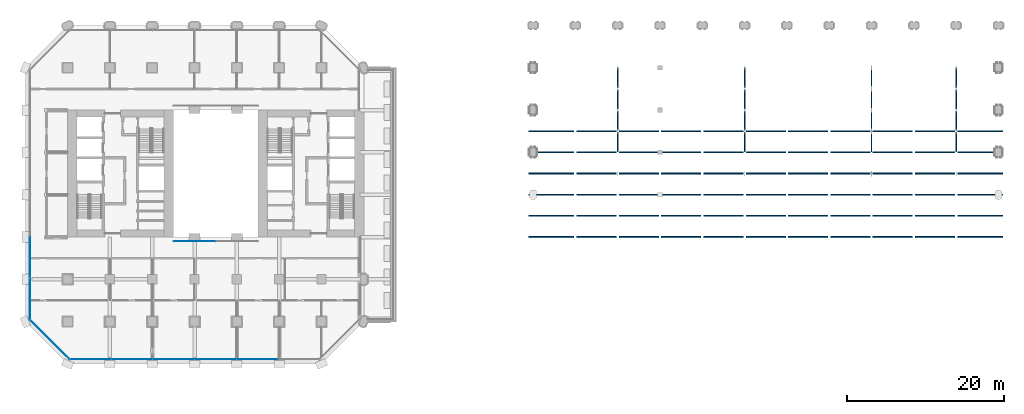
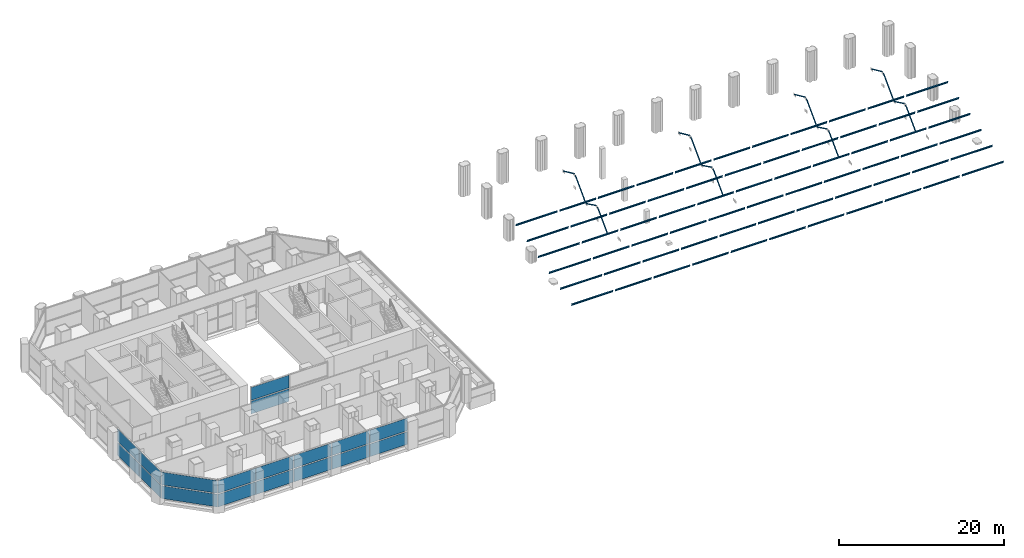
# One storey, part 10 of 23: 82 members, 18 plates, 4 elements without a shape of their own.
"""IFC4 building model written with IfcOpenShell, lengths in metres."""

from ifc_helpers import new_model, si_unit, direction, frame, origin, origin_2d, place, context, subcontext, project, spatial, rectangle, hollow_circle, i_section, extrude, material, layer, layer_set, material_profile, profile_set, type_object, element, aggregate, save


model = new_model("IFC4")

# Units and contexts
model_context = context("Model", 3, precision=1e-05, world=origin(), true_north=direction((0.0, 1.0)))
body_context = subcontext(model_context, "Body", "Model", "MODEL_VIEW")
ifc_project = project(units=[si_unit("LENGTHUNIT", "METRE"), si_unit("AREAUNIT", "SQUARE_METRE"), si_unit("VOLUMEUNIT", "CUBIC_METRE"), si_unit("PLANEANGLEUNIT", "RADIAN"), si_unit("MASSUNIT", "GRAM", prefix="KILO")], contexts=[model_context])

# Site, building, storey
site_placement = place(None, origin())
site = spatial("IfcSite", under=ifc_project, at=site_placement, CompositionType="ELEMENT")
building_placement = place(site_placement, origin())
building = spatial("IfcBuilding", under=site, at=building_placement, Name="Tabaq Tower and Sports Hall", CompositionType="ELEMENT")
storey_placement = place(building_placement, frame((0.0, 0.0, 29.10009765625)))
storey = spatial("IfcBuildingStorey", under=building, at=storey_placement, Name="L05", CompositionType="ELEMENT", Elevation=29.10009765625)

# Members
ifc_material_1 = material(Name="Steel S355", Category="steel")
ifc_material_profile_1 = material_profile(ifc_material_1, i_section(OverallWidth=0.14599609375, OverallDepth=0.25146484375, WebThickness=0.006103515625, FlangeThickness=0.008544921875, FilletRadius=0.007568359375, at=origin_2d()), Name="UB 254x146x31")
ifc_profile_set_1 = profile_set([ifc_material_profile_1], Name="Steel S355")
member_type_1 = type_object("IfcMemberType", Name="HALL PURLIN UB 254x146x31", PredefinedType="PURLIN", material=ifc_profile_set_1)
for number, where, z_axis, x_axis, name in (
    (1, (64.199951171875, 16.199951171875, 0.1552734375), (1.0, 0.0, 0.0), (0.0, 0.965925826289, 0.258819045103), "Roof purlin 13-07"),
    (2, (64.199951171875, 18.89990234375, 0.878662109375), (1.0, 0.0, 0.0), (0.0, 0.965925826289, 0.258819045103), "Roof purlin 13-08"),
    (3, (64.199951171875, 21.60009765625, 1.602294921875), (1.0, 0.0, 0.0), (0.0, 0.965925826289, 0.258819045103), "Roof purlin 13-09"),
    (4, (64.199951171875, 24.300048828125, 2.32568359375), (1.0, 0.0, 0.0), (0.0, 0.965925826289, 0.258819045103), "Roof purlin 13-10"),
    (5, (64.199951171875, 27.0, 3.049072265625), (1.0, 0.0, 0.0), (0.0, 0.965925826289, 0.258819045103), "Roof purlin 13-11"),
    (6, (64.199951171875, 29.699951171875, 3.7724609375), (1.0, 0.0, 0.0), (0.0, 0.965925826289, 0.258819045103), "Roof purlin 13-12"),
):
    element("IfcMember", number, at=place(storey_placement, frame(where, z_axis=z_axis, x_axis=x_axis)), inside=storey, type_object=member_type_1, Name=name, PredefinedType="PURLIN", context=body_context, shape_type="SweptSolid", body=[
        extrude(i_section(OverallWidth=0.14599609375, OverallDepth=0.25146484375, WebThickness=0.006103515625, FlangeThickness=0.008544921875, FilletRadius=0.007568359375, at=origin_2d()), origin(), (0.0, 0.0, 1.0), 5.85009765625),
    ])
for number, where, z_axis, x_axis, name in (
    (7, (70.35009765625, 16.199951171875, 0.1552734375), (1.0, 0.0, 0.0), (0.0, 0.965925826289, 0.258819045103), "Roof purlin 14-07"),
    (8, (70.35009765625, 18.89990234375, 0.878662109375), (1.0, 0.0, 0.0), (0.0, 0.965925826289, 0.258819045103), "Roof purlin 14-08"),
    (9, (70.35009765625, 21.60009765625, 1.602294921875), (1.0, 0.0, 0.0), (0.0, 0.965925826289, 0.258819045103), "Roof purlin 14-09"),
    (10, (70.35009765625, 24.300048828125, 2.32568359375), (1.0, 0.0, 0.0), (0.0, 0.965925826289, 0.258819045103), "Roof purlin 14-10"),
    (11, (70.35009765625, 27.0, 3.049072265625), (1.0, 0.0, 0.0), (0.0, 0.965925826289, 0.258819045103), "Roof purlin 14-11"),
    (12, (70.35009765625, 29.699951171875, 3.7724609375), (1.0, 0.0, 0.0), (0.0, 0.965925826289, 0.258819045103), "Roof purlin 14-12"),
):
    element("IfcMember", number, at=place(storey_placement, frame(where, z_axis=z_axis, x_axis=x_axis)), inside=storey, type_object=member_type_1, Name=name, PredefinedType="PURLIN", context=body_context, shape_type="SweptSolid", body=[
        extrude(i_section(OverallWidth=0.14599609375, OverallDepth=0.25146484375, WebThickness=0.006103515625, FlangeThickness=0.008544921875, FilletRadius=0.007568359375, at=origin_2d()), origin(), (0.0, 0.0, 1.0), 5.099853515625),
    ])
for number, where, z_axis, x_axis, name in (
    (13, (75.75, 16.199951171875, 0.1552734375), (1.0, 0.0, 0.0), (0.0, 0.965925826289, 0.258819045103), "Roof purlin 15-07"),
    (14, (75.75, 18.89990234375, 0.878662109375), (1.0, 0.0, 0.0), (0.0, 0.965925826289, 0.258819045103), "Roof purlin 15-08"),
    (15, (75.75, 21.60009765625, 1.602294921875), (1.0, 0.0, 0.0), (0.0, 0.965925826289, 0.258819045103), "Roof purlin 15-09"),
    (16, (75.75, 24.300048828125, 2.32568359375), (1.0, 0.0, 0.0), (0.0, 0.965925826289, 0.258819045103), "Roof purlin 15-10"),
    (17, (75.75, 27.0, 3.049072265625), (1.0, 0.0, 0.0), (0.0, 0.965925826289, 0.258819045103), "Roof purlin 15-11"),
    (18, (75.75, 29.699951171875, 3.7724609375), (1.0, 0.0, 0.0), (0.0, 0.965925826289, 0.258819045103), "Roof purlin 15-12"),
    (19, (81.14990234375, 16.199951171875, 0.1552734375), (1.0, 0.0, 0.0), (0.0, 0.965925826289, 0.258819045103), "Roof purlin 16-07"),
    (20, (81.14990234375, 18.89990234375, 0.878662109375), (1.0, 0.0, 0.0), (0.0, 0.965925826289, 0.258819045103), "Roof purlin 16-08"),
    (21, (81.14990234375, 21.60009765625, 1.602294921875), (1.0, 0.0, 0.0), (0.0, 0.965925826289, 0.258819045103), "Roof purlin 16-09"),
    (22, (81.14990234375, 24.300048828125, 2.32568359375), (1.0, 0.0, 0.0), (0.0, 0.965925826289, 0.258819045103), "Roof purlin 16-10"),
    (23, (81.14990234375, 27.0, 3.049072265625), (1.0, 0.0, 0.0), (0.0, 0.965925826289, 0.258819045103), "Roof purlin 16-11"),
    (24, (81.14990234375, 29.699951171875, 3.7724609375), (1.0, 0.0, 0.0), (0.0, 0.965925826289, 0.258819045103), "Roof purlin 16-12"),
):
    element("IfcMember", number, at=place(storey_placement, frame(where, z_axis=z_axis, x_axis=x_axis)), inside=storey, type_object=member_type_1, Name=name, PredefinedType="PURLIN", context=body_context, shape_type="SweptSolid", body=[
        extrude(i_section(OverallWidth=0.14599609375, OverallDepth=0.25146484375, WebThickness=0.006103515625, FlangeThickness=0.008544921875, FilletRadius=0.007568359375, at=origin_2d()), origin(), (0.0, 0.0, 1.0), 5.10009765625),
    ])
for number, where, z_axis, x_axis, name in (
    (25, (86.550048828125, 16.199951171875, 0.1552734375), (1.0, 0.0, 0.0), (0.0, 0.965925826289, 0.258819045103), "Roof purlin 17-07"),
    (26, (86.550048828125, 18.89990234375, 0.878662109375), (1.0, 0.0, 0.0), (0.0, 0.965925826289, 0.258819045103), "Roof purlin 17-08"),
    (27, (86.550048828125, 21.60009765625, 1.602294921875), (1.0, 0.0, 0.0), (0.0, 0.965925826289, 0.258819045103), "Roof purlin 17-09"),
    (28, (86.550048828125, 24.300048828125, 2.32568359375), (1.0, 0.0, 0.0), (0.0, 0.965925826289, 0.258819045103), "Roof purlin 17-10"),
    (29, (86.550048828125, 27.0, 3.049072265625), (1.0, 0.0, 0.0), (0.0, 0.965925826289, 0.258819045103), "Roof purlin 17-11"),
    (30, (86.550048828125, 29.699951171875, 3.7724609375), (1.0, 0.0, 0.0), (0.0, 0.965925826289, 0.258819045103), "Roof purlin 17-12"),
):
    element("IfcMember", number, at=place(storey_placement, frame(where, z_axis=z_axis, x_axis=x_axis)), inside=storey, type_object=member_type_1, Name=name, PredefinedType="PURLIN", context=body_context, shape_type="SweptSolid", body=[
        extrude(i_section(OverallWidth=0.14599609375, OverallDepth=0.25146484375, WebThickness=0.006103515625, FlangeThickness=0.008544921875, FilletRadius=0.007568359375, at=origin_2d()), origin(), (0.0, 0.0, 1.0), 5.099853515625),
    ])
for number, where, z_axis, x_axis, name in (
    (31, (91.949951171875, 16.199951171875, 0.1552734375), (1.0, 0.0, 0.0), (0.0, 0.965925826289, 0.258819045103), "Roof purlin 18-07"),
    (32, (91.949951171875, 18.89990234375, 0.878662109375), (1.0, 0.0, 0.0), (0.0, 0.965925826289, 0.258819045103), "Roof purlin 18-08"),
    (33, (91.949951171875, 21.60009765625, 1.602294921875), (1.0, 0.0, 0.0), (0.0, 0.965925826289, 0.258819045103), "Roof purlin 18-09"),
    (34, (91.949951171875, 24.300048828125, 2.32568359375), (1.0, 0.0, 0.0), (0.0, 0.965925826289, 0.258819045103), "Roof purlin 18-10"),
    (35, (91.949951171875, 27.0, 3.049072265625), (1.0, 0.0, 0.0), (0.0, 0.965925826289, 0.258819045103), "Roof purlin 18-11"),
    (36, (91.949951171875, 29.699951171875, 3.7724609375), (1.0, 0.0, 0.0), (0.0, 0.965925826289, 0.258819045103), "Roof purlin 18-12"),
):
    element("IfcMember", number, at=place(storey_placement, frame(where, z_axis=z_axis, x_axis=x_axis)), inside=storey, type_object=member_type_1, Name=name, PredefinedType="PURLIN", context=body_context, shape_type="SweptSolid", body=[
        extrude(i_section(OverallWidth=0.14599609375, OverallDepth=0.25146484375, WebThickness=0.006103515625, FlangeThickness=0.008544921875, FilletRadius=0.007568359375, at=origin_2d()), origin(), (0.0, 0.0, 1.0), 5.10009765625),
    ])
for number, where, z_axis, x_axis, name in (
    (37, (97.35009765625, 16.199951171875, 0.1552734375), (1.0, 0.0, 0.0), (0.0, 0.965925826289, 0.258819045103), "Roof purlin 19-07"),
    (38, (97.35009765625, 18.89990234375, 0.878662109375), (1.0, 0.0, 0.0), (0.0, 0.965925826289, 0.258819045103), "Roof purlin 19-08"),
    (39, (97.35009765625, 21.60009765625, 1.602294921875), (1.0, 0.0, 0.0), (0.0, 0.965925826289, 0.258819045103), "Roof purlin 19-09"),
    (40, (97.35009765625, 24.300048828125, 2.32568359375), (1.0, 0.0, 0.0), (0.0, 0.965925826289, 0.258819045103), "Roof purlin 19-10"),
    (41, (97.35009765625, 27.0, 3.049072265625), (1.0, 0.0, 0.0), (0.0, 0.965925826289, 0.258819045103), "Roof purlin 19-11"),
    (42, (97.35009765625, 29.699951171875, 3.7724609375), (1.0, 0.0, 0.0), (0.0, 0.965925826289, 0.258819045103), "Roof purlin 19-12"),
):
    element("IfcMember", number, at=place(storey_placement, frame(where, z_axis=z_axis, x_axis=x_axis)), inside=storey, type_object=member_type_1, Name=name, PredefinedType="PURLIN", context=body_context, shape_type="SweptSolid", body=[
        extrude(i_section(OverallWidth=0.14599609375, OverallDepth=0.25146484375, WebThickness=0.006103515625, FlangeThickness=0.008544921875, FilletRadius=0.007568359375, at=origin_2d()), origin(), (0.0, 0.0, 1.0), 5.099853515625),
    ])
for number, where, z_axis, x_axis, name in (
    (43, (102.75, 16.199951171875, 0.1552734375), (1.0, 0.0, 0.0), (0.0, 0.965925826289, 0.258819045103), "Roof purlin 20-07"),
    (44, (102.75, 18.89990234375, 0.878662109375), (1.0, 0.0, 0.0), (0.0, 0.965925826289, 0.258819045103), "Roof purlin 20-08"),
    (45, (102.75, 21.60009765625, 1.602294921875), (1.0, 0.0, 0.0), (0.0, 0.965925826289, 0.258819045103), "Roof purlin 20-09"),
    (46, (102.75, 24.300048828125, 2.32568359375), (1.0, 0.0, 0.0), (0.0, 0.965925826289, 0.258819045103), "Roof purlin 20-10"),
    (47, (102.75, 27.0, 3.049072265625), (1.0, 0.0, 0.0), (0.0, 0.965925826289, 0.258819045103), "Roof purlin 20-11"),
    (48, (102.75, 29.699951171875, 3.7724609375), (1.0, 0.0, 0.0), (0.0, 0.965925826289, 0.258819045103), "Roof purlin 20-12"),
    (49, (108.14990234375, 16.199951171875, 0.1552734375), (1.0, 0.0, 0.0), (0.0, 0.965925826289, 0.258819045103), "Roof purlin 21-07"),
    (50, (108.14990234375, 18.89990234375, 0.878662109375), (1.0, 0.0, 0.0), (0.0, 0.965925826289, 0.258819045103), "Roof purlin 21-08"),
    (51, (108.14990234375, 21.60009765625, 1.602294921875), (1.0, 0.0, 0.0), (0.0, 0.965925826289, 0.258819045103), "Roof purlin 21-09"),
    (52, (108.14990234375, 24.300048828125, 2.32568359375), (1.0, 0.0, 0.0), (0.0, 0.965925826289, 0.258819045103), "Roof purlin 21-10"),
    (53, (108.14990234375, 27.0, 3.049072265625), (1.0, 0.0, 0.0), (0.0, 0.965925826289, 0.258819045103), "Roof purlin 21-11"),
    (54, (108.14990234375, 29.699951171875, 3.7724609375), (1.0, 0.0, 0.0), (0.0, 0.965925826289, 0.258819045103), "Roof purlin 21-12"),
):
    element("IfcMember", number, at=place(storey_placement, frame(where, z_axis=z_axis, x_axis=x_axis)), inside=storey, type_object=member_type_1, Name=name, PredefinedType="PURLIN", context=body_context, shape_type="SweptSolid", body=[
        extrude(i_section(OverallWidth=0.14599609375, OverallDepth=0.25146484375, WebThickness=0.006103515625, FlangeThickness=0.008544921875, FilletRadius=0.007568359375, at=origin_2d()), origin(), (0.0, 0.0, 1.0), 5.10009765625),
    ])
for number, where, z_axis, x_axis, name in (
    (55, (113.550048828125, 16.199951171875, 0.1552734375), (1.0, 0.0, 0.0), (0.0, 0.965925826289, 0.258819045103), "Roof purlin 22-07"),
    (56, (113.550048828125, 18.89990234375, 0.878662109375), (1.0, 0.0, 0.0), (0.0, 0.965925826289, 0.258819045103), "Roof purlin 22-08"),
    (57, (113.550048828125, 21.60009765625, 1.602294921875), (1.0, 0.0, 0.0), (0.0, 0.965925826289, 0.258819045103), "Roof purlin 22-09"),
    (58, (113.550048828125, 24.300048828125, 2.32568359375), (1.0, 0.0, 0.0), (0.0, 0.965925826289, 0.258819045103), "Roof purlin 22-10"),
    (59, (113.550048828125, 27.0, 3.049072265625), (1.0, 0.0, 0.0), (0.0, 0.965925826289, 0.258819045103), "Roof purlin 22-11"),
    (60, (113.550048828125, 29.699951171875, 3.7724609375), (1.0, 0.0, 0.0), (0.0, 0.965925826289, 0.258819045103), "Roof purlin 22-12"),
):
    element("IfcMember", number, at=place(storey_placement, frame(where, z_axis=z_axis, x_axis=x_axis)), inside=storey, type_object=member_type_1, Name=name, PredefinedType="PURLIN", context=body_context, shape_type="SweptSolid", body=[
        extrude(i_section(OverallWidth=0.14599609375, OverallDepth=0.25146484375, WebThickness=0.006103515625, FlangeThickness=0.008544921875, FilletRadius=0.007568359375, at=origin_2d()), origin(), (0.0, 0.0, 1.0), 5.099853515625),
    ])
for number, where, z_axis, x_axis, name in (
    (61, (118.949951171875, 16.199951171875, 0.1552734375), (1.0, 0.0, 0.0), (0.0, 0.965925826289, 0.258819045103), "Roof purlin 23-07"),
    (62, (118.949951171875, 18.89990234375, 0.878662109375), (1.0, 0.0, 0.0), (0.0, 0.965925826289, 0.258819045103), "Roof purlin 23-08"),
    (63, (118.949951171875, 21.60009765625, 1.602294921875), (1.0, 0.0, 0.0), (0.0, 0.965925826289, 0.258819045103), "Roof purlin 23-09"),
    (64, (118.949951171875, 24.300048828125, 2.32568359375), (1.0, 0.0, 0.0), (0.0, 0.965925826289, 0.258819045103), "Roof purlin 23-10"),
    (65, (118.949951171875, 27.0, 3.049072265625), (1.0, 0.0, 0.0), (0.0, 0.965925826289, 0.258819045103), "Roof purlin 23-11"),
    (66, (118.949951171875, 29.699951171875, 3.7724609375), (1.0, 0.0, 0.0), (0.0, 0.965925826289, 0.258819045103), "Roof purlin 23-12"),
):
    element("IfcMember", number, at=place(storey_placement, frame(where, z_axis=z_axis, x_axis=x_axis)), inside=storey, type_object=member_type_1, Name=name, PredefinedType="PURLIN", context=body_context, shape_type="SweptSolid", body=[
        extrude(i_section(OverallWidth=0.14599609375, OverallDepth=0.25146484375, WebThickness=0.006103515625, FlangeThickness=0.008544921875, FilletRadius=0.007568359375, at=origin_2d()), origin(), (0.0, 0.0, 1.0), 5.85009765625),
    ])
ifc_material_2 = material(Name="Steel S355", Category="steel")
ifc_material_profile_2 = material_profile(ifc_material_2, hollow_circle(Radius=0.084228515625, WallThickness=0.008056640625, at=origin_2d()), Name="CHS 168.3x8")
ifc_profile_set_2 = profile_set([ifc_material_profile_2], Name="Steel S355")
member_type_2 = type_object("IfcMemberType", Name="HALL TRUSS WEB CHS 168.3x8", PredefinedType="BRACE", material=ifc_profile_set_2)
member_1_placement = place(storey_placement, frame((75.60009765625, 27.1201171875, 0.025390625), z_axis=(0.0, 0.698147199932, 0.715954249395), x_axis=(-1.0, 0.0, 0.0)))
element("IfcMember", 67, at=member_1_placement, inside=storey, type_object=member_type_2, Name="Roof truss 1 diagonal 07", PredefinedType="BRACE", context=body_context, shape_type="SweptSolid", body=[
    extrude(hollow_circle(Radius=0.084228515625, WallThickness=0.008056640625, at=origin_2d()), origin(), (0.0, 0.0, 1.0), 3.5234375),
])
member_2_placement = place(storey_placement, frame((75.60009765625, 29.820068359375, 2.6123046875), z_axis=(0.0, 0.898139584621, -0.439710457616), x_axis=(-1.0, 0.0, 0.0)))
element("IfcMember", 68, at=member_2_placement, inside=storey, type_object=member_type_2, Name="Roof truss 1 diagonal 08", PredefinedType="BRACE", context=body_context, shape_type="SweptSolid", body=[
    extrude(hollow_circle(Radius=0.084228515625, WallThickness=0.008056640625, at=origin_2d()), origin(), (0.0, 0.0, 1.0), 2.739013671875),
])
member_3_placement = place(storey_placement, frame((75.60009765625, 32.52001953125, 1.472412109375), z_axis=(0.0, 0.698181833913, 0.715920475188), x_axis=(-1.0, 0.0, 0.0)))
element("IfcMember", 69, at=member_3_placement, inside=storey, type_object=member_type_2, Name="Roof truss 1 diagonal 09", PredefinedType="BRACE", context=body_context, shape_type="SweptSolid", body=[
    extrude(hollow_circle(Radius=0.084228515625, WallThickness=0.008056640625, at=origin_2d()), origin(), (0.0, 0.0, 1.0), 3.5234375),
])
member_4_placement = place(storey_placement, frame((75.60009765625, 35.219970703125, 4.059326171875), z_axis=(0.0, 0.910419575335, -0.41368610908), x_axis=(-1.0, 0.0, 0.0)))
element("IfcMember", 70, at=member_4_placement, inside=storey, type_object=member_type_2, Name="Roof truss 1 diagonal 10", PredefinedType="BRACE", context=body_context, shape_type="SweptSolid", body=[
    extrude(hollow_circle(Radius=0.084228515625, WallThickness=0.008056640625, at=origin_2d()), origin(), (0.0, 0.0, 1.0), 2.833984375),
])
member_5_placement = place(storey_placement, frame((91.800048828125, 27.1201171875, 0.025390625), z_axis=(0.0, 0.698147199932, 0.715954249395), x_axis=(-1.0, 0.0, 0.0)))
element("IfcMember", 71, at=member_5_placement, inside=storey, type_object=member_type_2, Name="Roof truss 2 diagonal 07", PredefinedType="BRACE", context=body_context, shape_type="SweptSolid", body=[
    extrude(hollow_circle(Radius=0.084228515625, WallThickness=0.008056640625, at=origin_2d()), origin(), (0.0, 0.0, 1.0), 3.5234375),
])
member_6_placement = place(storey_placement, frame((91.800048828125, 29.820068359375, 2.6123046875), z_axis=(0.0, 0.898139584621, -0.439710457616), x_axis=(-1.0, 0.0, 0.0)))
element("IfcMember", 72, at=member_6_placement, inside=storey, type_object=member_type_2, Name="Roof truss 2 diagonal 08", PredefinedType="BRACE", context=body_context, shape_type="SweptSolid", body=[
    extrude(hollow_circle(Radius=0.084228515625, WallThickness=0.008056640625, at=origin_2d()), origin(), (0.0, 0.0, 1.0), 2.739013671875),
])
member_7_placement = place(storey_placement, frame((91.800048828125, 32.52001953125, 1.472412109375), z_axis=(0.0, 0.698181833913, 0.715920475188), x_axis=(-1.0, 0.0, 0.0)))
element("IfcMember", 73, at=member_7_placement, inside=storey, type_object=member_type_2, Name="Roof truss 2 diagonal 09", PredefinedType="BRACE", context=body_context, shape_type="SweptSolid", body=[
    extrude(hollow_circle(Radius=0.084228515625, WallThickness=0.008056640625, at=origin_2d()), origin(), (0.0, 0.0, 1.0), 3.5234375),
])
member_8_placement = place(storey_placement, frame((91.800048828125, 35.219970703125, 4.059326171875), z_axis=(0.0, 0.910419575335, -0.41368610908), x_axis=(-1.0, 0.0, 0.0)))
element("IfcMember", 74, at=member_8_placement, inside=storey, type_object=member_type_2, Name="Roof truss 2 diagonal 10", PredefinedType="BRACE", context=body_context, shape_type="SweptSolid", body=[
    extrude(hollow_circle(Radius=0.084228515625, WallThickness=0.008056640625, at=origin_2d()), origin(), (0.0, 0.0, 1.0), 2.833984375),
])
member_9_placement = place(storey_placement, frame((108.0, 27.1201171875, 0.025390625), z_axis=(0.0, 0.698147199932, 0.715954249395), x_axis=(-1.0, 0.0, 0.0)))
element("IfcMember", 75, at=member_9_placement, inside=storey, type_object=member_type_2, Name="Roof truss 3 diagonal 07", PredefinedType="BRACE", context=body_context, shape_type="SweptSolid", body=[
    extrude(hollow_circle(Radius=0.084228515625, WallThickness=0.008056640625, at=origin_2d()), origin(), (0.0, 0.0, 1.0), 3.5234375),
])
member_10_placement = place(storey_placement, frame((108.0, 29.820068359375, 2.6123046875), z_axis=(0.0, 0.898139584621, -0.439710457616), x_axis=(-1.0, 0.0, 0.0)))
element("IfcMember", 76, at=member_10_placement, inside=storey, type_object=member_type_2, Name="Roof truss 3 diagonal 08", PredefinedType="BRACE", context=body_context, shape_type="SweptSolid", body=[
    extrude(hollow_circle(Radius=0.084228515625, WallThickness=0.008056640625, at=origin_2d()), origin(), (0.0, 0.0, 1.0), 2.739013671875),
])
member_11_placement = place(storey_placement, frame((108.0, 32.52001953125, 1.472412109375), z_axis=(0.0, 0.698181833913, 0.715920475188), x_axis=(-1.0, 0.0, 0.0)))
element("IfcMember", 77, at=member_11_placement, inside=storey, type_object=member_type_2, Name="Roof truss 3 diagonal 09", PredefinedType="BRACE", context=body_context, shape_type="SweptSolid", body=[
    extrude(hollow_circle(Radius=0.084228515625, WallThickness=0.008056640625, at=origin_2d()), origin(), (0.0, 0.0, 1.0), 3.5234375),
])
member_12_placement = place(storey_placement, frame((108.0, 35.219970703125, 4.059326171875), z_axis=(0.0, 0.910419575335, -0.41368610908), x_axis=(-1.0, 0.0, 0.0)))
element("IfcMember", 78, at=member_12_placement, inside=storey, type_object=member_type_2, Name="Roof truss 3 diagonal 10", PredefinedType="BRACE", context=body_context, shape_type="SweptSolid", body=[
    extrude(hollow_circle(Radius=0.084228515625, WallThickness=0.008056640625, at=origin_2d()), origin(), (0.0, 0.0, 1.0), 2.833984375),
])
member_13_placement = place(storey_placement, frame((118.800048828125, 27.1201171875, 0.025390625), z_axis=(0.0, 0.698147199932, 0.715954249395), x_axis=(-1.0, 0.0, 0.0)))
element("IfcMember", 79, at=member_13_placement, inside=storey, type_object=member_type_2, Name="Roof truss 4 diagonal 07", PredefinedType="BRACE", context=body_context, shape_type="SweptSolid", body=[
    extrude(hollow_circle(Radius=0.084228515625, WallThickness=0.008056640625, at=origin_2d()), origin(), (0.0, 0.0, 1.0), 3.5234375),
])
member_14_placement = place(storey_placement, frame((118.800048828125, 29.820068359375, 2.6123046875), z_axis=(0.0, 0.898139584621, -0.439710457616), x_axis=(-1.0, 0.0, 0.0)))
element("IfcMember", 80, at=member_14_placement, inside=storey, type_object=member_type_2, Name="Roof truss 4 diagonal 08", PredefinedType="BRACE", context=body_context, shape_type="SweptSolid", body=[
    extrude(hollow_circle(Radius=0.084228515625, WallThickness=0.008056640625, at=origin_2d()), origin(), (0.0, 0.0, 1.0), 2.739013671875),
])
member_15_placement = place(storey_placement, frame((118.800048828125, 32.52001953125, 1.472412109375), z_axis=(0.0, 0.698181833913, 0.715920475188), x_axis=(-1.0, 0.0, 0.0)))
element("IfcMember", 81, at=member_15_placement, inside=storey, type_object=member_type_2, Name="Roof truss 4 diagonal 09", PredefinedType="BRACE", context=body_context, shape_type="SweptSolid", body=[
    extrude(hollow_circle(Radius=0.084228515625, WallThickness=0.008056640625, at=origin_2d()), origin(), (0.0, 0.0, 1.0), 3.5234375),
])
member_16_placement = place(storey_placement, frame((118.800048828125, 35.219970703125, 4.059326171875), z_axis=(0.0, 0.910419575335, -0.41368610908), x_axis=(-1.0, 0.0, 0.0)))
element("IfcMember", 82, at=member_16_placement, inside=storey, type_object=member_type_2, Name="Roof truss 4 diagonal 10", PredefinedType="BRACE", context=body_context, shape_type="SweptSolid", body=[
    extrude(hollow_circle(Radius=0.084228515625, WallThickness=0.008056640625, at=origin_2d()), origin(), (0.0, 0.0, 1.0), 2.833984375),
])

# Curtain wall, plates
ifc_material_3 = material(Name="Aluminium alloy 6063-T6 framed glazing", Category="aluminium")
curtain_wall_type_1 = type_object("IfcCurtainWallType", Name="CW1 curtain wall", PredefinedType="USERDEFINED", material=ifc_material_3)
curtain_wall_1_placement = place(storey_placement, origin())
curtain_wall_1 = element("IfcCurtainWall", 83, at=curtain_wall_1_placement, inside=storey, type_object=curtain_wall_type_1, Name="Atrium glazing L05 S", ObjectType="ATRIUM ENCLOSURE", PredefinedType="USERDEFINED")
ifc_material_4 = material(Name="Clear low-emissivity glass 28 mm", Category="glass")
ifc_layer_1 = layer(ifc_material_4, 0.028076171875)
ifc_layer_set_1 = layer_set([ifc_layer_1], Name="CW1 glass panel 28")
plate_type_1 = type_object("IfcPlateType", Name="CW1 glass panel 28", PredefinedType="CURTAIN_PANEL", material=ifc_layer_set_1)
plate_1_placement = place(storey_placement, frame((21.614990234375, 15.64990234375, 0.14013671875), z_axis=(0.0, 0.0, 1.0), x_axis=(1.0, 0.0, 0.0)))
plate_1 = element("IfcPlate", 84, at=plate_1_placement, type_object=plate_type_1, Name="CW1 panel 1.1", PredefinedType="CURTAIN_PANEL", context=body_context, shape_type="SweptSolid", body=[
    extrude(rectangle(XDim=5.31005859375, YDim=0.028076171875, at=origin_2d()), origin(), (0.0, 0.0, 1.0), 1.889892578125),
])
plate_2_placement = place(storey_placement, frame((21.614990234375, 15.64990234375, 2.169921875), z_axis=(0.0, 0.0, 1.0), x_axis=(1.0, 0.0, 0.0)))
plate_2 = element("IfcPlate", 85, at=plate_2_placement, type_object=plate_type_1, Name="CW1 panel 1.2", PredefinedType="CURTAIN_PANEL", context=body_context, shape_type="SweptSolid", body=[
    extrude(rectangle(XDim=5.31005859375, YDim=0.028076171875, at=origin_2d()), origin(), (0.0, 0.0, 1.0), 1.889892578125),
])
aggregate(curtain_wall_1, [plate_1, plate_2])

ifc_material_5 = material(Name="Aluminium alloy 6063-T6 framed glazing", Category="aluminium")
curtain_wall_type_2 = type_object("IfcCurtainWallType", Name="CW7 curtain wall", PredefinedType="USERDEFINED", material=ifc_material_5)
curtain_wall_2_placement = place(storey_placement, origin())
curtain_wall_2 = element("IfcCurtainWall", 86, at=curtain_wall_2_placement, inside=storey, type_object=curtain_wall_type_2, Name="Podium Wall L05 S", ObjectType="PODIUM WALL", PredefinedType="USERDEFINED")
ifc_material_6 = material(Name="Clear low-emissivity glass 28 mm", Category="glass")
ifc_layer_2 = layer(ifc_material_6, 0.030029296875)
ifc_layer_set_2 = layer_set([ifc_layer_2], Name="CW7 glass panel 30")
plate_type_2 = type_object("IfcPlateType", Name="CW7 glass panel 30", PredefinedType="CURTAIN_PANEL", material=ifc_layer_set_2)
plate_3_placement = place(storey_placement, frame((8.271484375, 0.60009765625, 0.14013671875), z_axis=(0.0, 0.0, 1.0), x_axis=(1.0, 0.0, 0.0)))
plate_3 = element("IfcPlate", 87, at=plate_3_placement, type_object=plate_type_2, Name="CW7 panel 1.1", PredefinedType="CURTAIN_PANEL", context=body_context, shape_type="SweptSolid", body=[
    extrude(rectangle(XDim=5.240478515625, YDim=0.030029296875, at=origin_2d()), origin(), (0.0, 0.0, 1.0), 1.889892578125),
])
plate_4_placement = place(storey_placement, frame((8.271484375, 0.60009765625, 2.169921875), z_axis=(0.0, 0.0, 1.0), x_axis=(1.0, 0.0, 0.0)))
plate_4 = element("IfcPlate", 88, at=plate_4_placement, type_object=plate_type_2, Name="CW7 panel 1.2", PredefinedType="CURTAIN_PANEL", context=body_context, shape_type="SweptSolid", body=[
    extrude(rectangle(XDim=5.240478515625, YDim=0.030029296875, at=origin_2d()), origin(), (0.0, 0.0, 1.0), 1.889892578125),
])
plate_5_placement = place(storey_placement, frame((13.59326171875, 0.60009765625, 0.14013671875), z_axis=(0.0, 0.0, 1.0), x_axis=(1.0, 0.0, 0.0)))
plate_5 = element("IfcPlate", 89, at=plate_5_placement, type_object=plate_type_2, Name="CW7 panel 2.1", PredefinedType="CURTAIN_PANEL", context=body_context, shape_type="SweptSolid", body=[
    extrude(rectangle(XDim=5.27294921875, YDim=0.030029296875, at=origin_2d()), origin(), (0.0, 0.0, 1.0), 1.889892578125),
])
plate_6_placement = place(storey_placement, frame((13.59326171875, 0.60009765625, 2.169921875), z_axis=(0.0, 0.0, 1.0), x_axis=(1.0, 0.0, 0.0)))
plate_6 = element("IfcPlate", 90, at=plate_6_placement, type_object=plate_type_2, Name="CW7 panel 2.2", PredefinedType="CURTAIN_PANEL", context=body_context, shape_type="SweptSolid", body=[
    extrude(rectangle(XDim=5.27294921875, YDim=0.030029296875, at=origin_2d()), origin(), (0.0, 0.0, 1.0), 1.889892578125),
])
plate_7_placement = place(storey_placement, frame((18.93115234375, 0.60009765625, 0.14013671875), z_axis=(0.0, 0.0, 1.0), x_axis=(1.0, 0.0, 0.0)))
plate_7 = element("IfcPlate", 91, at=plate_7_placement, type_object=plate_type_2, Name="CW7 panel 3.1", PredefinedType="CURTAIN_PANEL", context=body_context, shape_type="SweptSolid", body=[
    extrude(rectangle(XDim=5.27294921875, YDim=0.030029296875, at=origin_2d()), origin(), (0.0, 0.0, 1.0), 1.889892578125),
])
plate_8_placement = place(storey_placement, frame((18.93115234375, 0.60009765625, 2.169921875), z_axis=(0.0, 0.0, 1.0), x_axis=(1.0, 0.0, 0.0)))
plate_8 = element("IfcPlate", 92, at=plate_8_placement, type_object=plate_type_2, Name="CW7 panel 3.2", PredefinedType="CURTAIN_PANEL", context=body_context, shape_type="SweptSolid", body=[
    extrude(rectangle(XDim=5.27294921875, YDim=0.030029296875, at=origin_2d()), origin(), (0.0, 0.0, 1.0), 1.889892578125),
])
plate_9_placement = place(storey_placement, frame((24.26904296875, 0.60009765625, 0.14013671875), z_axis=(0.0, 0.0, 1.0), x_axis=(1.0, 0.0, 0.0)))
plate_9 = element("IfcPlate", 93, at=plate_9_placement, type_object=plate_type_2, Name="CW7 panel 4.1", PredefinedType="CURTAIN_PANEL", context=body_context, shape_type="SweptSolid", body=[
    extrude(rectangle(XDim=5.27294921875, YDim=0.030029296875, at=origin_2d()), origin(), (0.0, 0.0, 1.0), 1.889892578125),
])
plate_10_placement = place(storey_placement, frame((24.26904296875, 0.60009765625, 2.169921875), z_axis=(0.0, 0.0, 1.0), x_axis=(1.0, 0.0, 0.0)))
plate_10 = element("IfcPlate", 94, at=plate_10_placement, type_object=plate_type_2, Name="CW7 panel 4.2", PredefinedType="CURTAIN_PANEL", context=body_context, shape_type="SweptSolid", body=[
    extrude(rectangle(XDim=5.27294921875, YDim=0.030029296875, at=origin_2d()), origin(), (0.0, 0.0, 1.0), 1.889892578125),
])
plate_11_placement = place(storey_placement, frame((29.606689453125, 0.60009765625, 0.14013671875), z_axis=(0.0, 0.0, 1.0), x_axis=(1.0, 0.0, 0.0)))
plate_11 = element("IfcPlate", 95, at=plate_11_placement, type_object=plate_type_2, Name="CW7 panel 5.1", PredefinedType="CURTAIN_PANEL", context=body_context, shape_type="SweptSolid", body=[
    extrude(rectangle(XDim=5.27294921875, YDim=0.030029296875, at=origin_2d()), origin(), (0.0, 0.0, 1.0), 1.889892578125),
])
plate_12_placement = place(storey_placement, frame((29.606689453125, 0.60009765625, 2.169921875), z_axis=(0.0, 0.0, 1.0), x_axis=(1.0, 0.0, 0.0)))
plate_12 = element("IfcPlate", 96, at=plate_12_placement, type_object=plate_type_2, Name="CW7 panel 5.2", PredefinedType="CURTAIN_PANEL", context=body_context, shape_type="SweptSolid", body=[
    extrude(rectangle(XDim=5.27294921875, YDim=0.030029296875, at=origin_2d()), origin(), (0.0, 0.0, 1.0), 1.889892578125),
])
aggregate(curtain_wall_2, [plate_3, plate_4, plate_5, plate_6, plate_7, plate_8, plate_9, plate_10, plate_11, plate_12])

curtain_wall_3_placement = place(storey_placement, origin())
curtain_wall_3 = element("IfcCurtainWall", 97, at=curtain_wall_3_placement, inside=storey, type_object=curtain_wall_type_2, Name="Podium Wall L05 W", ObjectType="PODIUM WALL", PredefinedType="USERDEFINED")
plate_13_placement = place(storey_placement, frame((0.60009765625, 13.59326171875, 0.14013671875), z_axis=(0.0, 0.0, 1.0), x_axis=(0.0, -1.0, 0.0)))
plate_13 = element("IfcPlate", 98, at=plate_13_placement, type_object=plate_type_2, Name="CW7 panel 5.1", PredefinedType="CURTAIN_PANEL", context=body_context, shape_type="SweptSolid", body=[
    extrude(rectangle(XDim=5.27294921875, YDim=0.030029296875, at=origin_2d()), origin(), (0.0, 0.0, 1.0), 1.889892578125),
])
plate_14_placement = place(storey_placement, frame((0.60009765625, 13.59326171875, 2.169921875), z_axis=(0.0, 0.0, 1.0), x_axis=(0.0, -1.0, 0.0)))
plate_14 = element("IfcPlate", 99, at=plate_14_placement, type_object=plate_type_2, Name="CW7 panel 5.2", PredefinedType="CURTAIN_PANEL", context=body_context, shape_type="SweptSolid", body=[
    extrude(rectangle(XDim=5.27294921875, YDim=0.030029296875, at=origin_2d()), origin(), (0.0, 0.0, 1.0), 1.889892578125),
])
plate_15_placement = place(storey_placement, frame((0.60009765625, 8.271484375, 0.14013671875), z_axis=(0.0, 0.0, 1.0), x_axis=(0.0, -1.0, 0.0)))
plate_15 = element("IfcPlate", 100, at=plate_15_placement, type_object=plate_type_2, Name="CW7 panel 6.1", PredefinedType="CURTAIN_PANEL", context=body_context, shape_type="SweptSolid", body=[
    extrude(rectangle(XDim=5.240478515625, YDim=0.030029296875, at=origin_2d()), origin(), (0.0, 0.0, 1.0), 1.889892578125),
])
plate_16_placement = place(storey_placement, frame((0.60009765625, 8.271484375, 2.169921875), z_axis=(0.0, 0.0, 1.0), x_axis=(0.0, -1.0, 0.0)))
plate_16 = element("IfcPlate", 101, at=plate_16_placement, type_object=plate_type_2, Name="CW7 panel 6.2", PredefinedType="CURTAIN_PANEL", context=body_context, shape_type="SweptSolid", body=[
    extrude(rectangle(XDim=5.240478515625, YDim=0.030029296875, at=origin_2d()), origin(), (0.0, 0.0, 1.0), 1.889892578125),
])
aggregate(curtain_wall_3, [plate_13, plate_14, plate_15, plate_16])

curtain_wall_4_placement = place(storey_placement, origin())
curtain_wall_4 = element("IfcCurtainWall", 102, at=curtain_wall_4_placement, inside=storey, type_object=curtain_wall_type_2, Name="Podium Wall L05 SW", ObjectType="PODIUM WALL", PredefinedType="USERDEFINED")
plate_17_placement = place(storey_placement, frame((3.124267578125, 3.124267578125, 0.14013671875), z_axis=(0.0, 0.0, 1.0), x_axis=(0.707106781187, -0.707106781187, 0.0)))
plate_17 = element("IfcPlate", 103, at=plate_17_placement, type_object=plate_type_2, Name="CW7 panel 1.1", PredefinedType="CURTAIN_PANEL", context=body_context, shape_type="SweptSolid", body=[
    extrude(rectangle(XDim=7.009765625, YDim=0.030029296875, at=origin_2d()), origin(), (0.0, 0.0, 1.0), 1.889892578125),
])
plate_18_placement = place(storey_placement, frame((3.124267578125, 3.124267578125, 2.169921875), z_axis=(0.0, 0.0, 1.0), x_axis=(0.707106781187, -0.707106781187, 0.0)))
plate_18 = element("IfcPlate", 104, at=plate_18_placement, type_object=plate_type_2, Name="CW7 panel 1.2", PredefinedType="CURTAIN_PANEL", context=body_context, shape_type="SweptSolid", body=[
    extrude(rectangle(XDim=7.009765625, YDim=0.030029296875, at=origin_2d()), origin(), (0.0, 0.0, 1.0), 1.889892578125),
])
aggregate(curtain_wall_4, [plate_17, plate_18])

save(model, "model.ifc")
